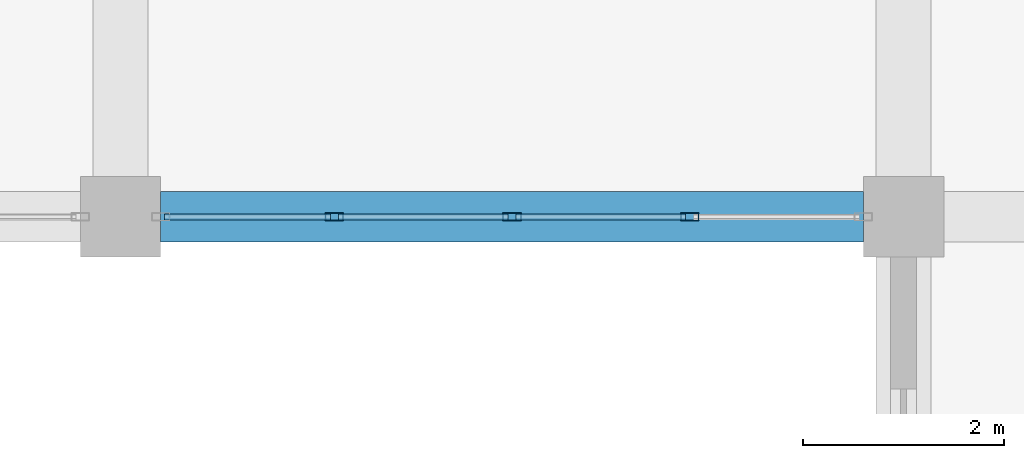
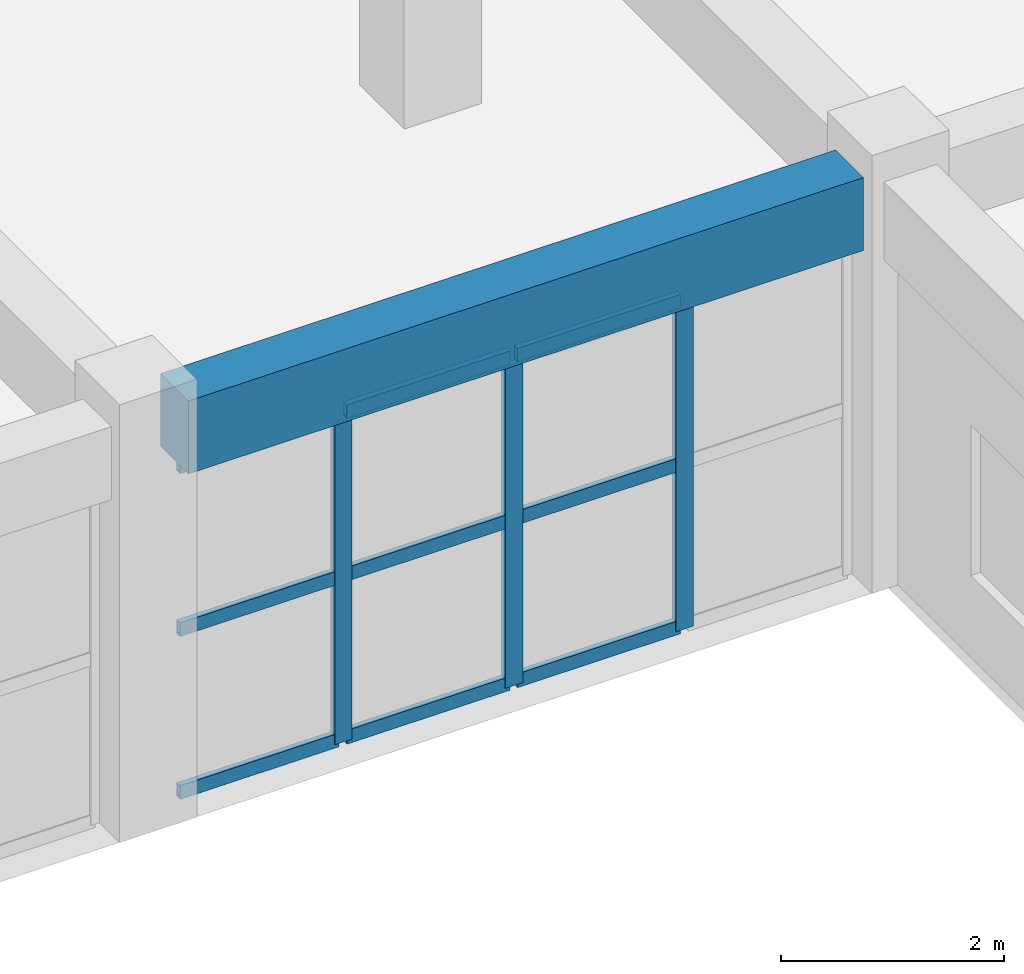
# One storey, part 44 of 139: 12 members, 1 beam, 1 element without a shape of its own.
"""IFC4 building model written with IfcOpenShell, lengths in metres."""

from ifc_helpers import new_model, si_unit, direction, frame, origin, origin_2d, place, context, subcontext, project, spatial, rectangle, hollow_rectangle, extrude, material, layer, layer_set, material_profile, profile_set, type_object, element, aggregate, save


model = new_model("IFC4")

# Units and contexts
model_context = context("Model", 3, precision=1e-05, world=origin(), true_north=direction((0.0, 1.0)))
body_context = subcontext(model_context, "Body", "Model", "MODEL_VIEW")
ifc_project = project(units=[si_unit("LENGTHUNIT", "METRE"), si_unit("AREAUNIT", "SQUARE_METRE"), si_unit("VOLUMEUNIT", "CUBIC_METRE"), si_unit("PLANEANGLEUNIT", "RADIAN"), si_unit("MASSUNIT", "GRAM", prefix="KILO")], contexts=[model_context])

# Site, building, storey
site_placement = place(None, origin())
site = spatial("IfcSite", under=ifc_project, at=site_placement, CompositionType="ELEMENT")
building_placement = place(site_placement, origin())
building = spatial("IfcBuilding", under=site, at=building_placement, Name="Zizhar Promenade General Hospital", CompositionType="ELEMENT")
storey_placement = place(building_placement, origin())
storey = spatial("IfcBuildingStorey", under=building, at=storey_placement, Name="L00", CompositionType="ELEMENT", Elevation=0.0)

# Beam
ifc_material_1 = material(Name="Concrete C35/45", Category="concrete")
ifc_material_profile_1 = material_profile(ifc_material_1, rectangle(XDim=0.5, YDim=0.800048828125, at=origin_2d()))
ifc_profile_set_1 = profile_set([ifc_material_profile_1], Name="Concrete C35/45")
beam_type = type_object("IfcBeamType", Name="BM-RC-500x800", PredefinedType="BEAM", material=ifc_profile_set_1)
beam_placement = place(storey_placement, frame((117.39990234375, 92.39990234375, 4.070068359375), z_axis=(1.0, 0.0, 0.0), x_axis=(0.0, 1.0, 0.0)))
element("IfcBeam", 1, at=beam_placement, inside=storey, type_object=beam_type, Name="Grid Beam X L00 (15-11)", PredefinedType="BEAM", context=body_context, shape_type="SweptSolid", body=[
    extrude(rectangle(XDim=0.5, YDim=0.800048828125, at=origin_2d()), origin(), (0.0, 0.0, 1.0), 7.0),
])

# Curtain wall, members
ifc_material_2 = material(Name="Anodised aluminium 6063-T6 and low-E glass", Category="aluminium")
ifc_layer = layer(ifc_material_2, 0.159912109375)
ifc_layer_set = layer_set([ifc_layer], Name="Anodised aluminium 6063-T6 and low-E glass")
curtain_wall_type = type_object("IfcCurtainWallType", Name="CW-DT-MOD1", PredefinedType="NOTDEFINED", material=ifc_layer_set)
curtain_wall_placement = place(storey_placement, origin())
curtain_wall = element("IfcCurtainWall", 2, at=curtain_wall_placement, inside=storey, type_object=curtain_wall_type, Name="Garden Court North Surgical Glazing L00-15", PredefinedType="NOTDEFINED")
ifc_material_3 = material(Name="Anodised aluminium 6063-T6", Category="aluminium")
ifc_material_profile_2 = material_profile(ifc_material_3, hollow_rectangle(XDim=0.080078125, YDim=0.179931640625, WallThickness=0.0048828125, at=origin_2d()))
ifc_profile_set_2 = profile_set([ifc_material_profile_2], Name="Anodised aluminium 6063-T6")
member_type_1 = type_object("IfcMemberType", Name="CWM-ALU-180x80", PredefinedType="MULLION", material=ifc_profile_set_2)
member_1_placement = place(storey_placement, frame((122.669921875, 92.39990234375, 0.0), z_axis=(0.0, 0.0, 1.0), x_axis=(0.0, -1.0, 0.0)))
member_1 = element("IfcMember", 3, at=member_1_placement, type_object=member_type_1, Name="CW-07 mullion 2", PredefinedType="MULLION", context=body_context, shape_type="SweptSolid", body=[
    extrude(hollow_rectangle(XDim=0.080078125, YDim=0.179931640625, WallThickness=0.0048828125, at=origin_2d()), origin(), (0.0, 0.0, 1.0), 3.6298828125),
])
member_2_placement = place(storey_placement, frame((120.89990234375, 92.39990234375, 0.0), z_axis=(0.0, 0.0, 1.0), x_axis=(0.0, -1.0, 0.0)))
member_2 = element("IfcMember", 4, at=member_2_placement, type_object=member_type_1, Name="CW-07 mullion 3", PredefinedType="MULLION", context=body_context, shape_type="SweptSolid", body=[
    extrude(hollow_rectangle(XDim=0.080078125, YDim=0.179931640625, WallThickness=0.0048828125, at=origin_2d()), origin(), (0.0, 0.0, 1.0), 3.6298828125),
])
member_3_placement = place(storey_placement, frame((119.1298828125, 92.39990234375, 0.0), z_axis=(0.0, 0.0, 1.0), x_axis=(0.0, -1.0, 0.0)))
member_3 = element("IfcMember", 5, at=member_3_placement, type_object=member_type_1, Name="CW-07 mullion 4", PredefinedType="MULLION", context=body_context, shape_type="SweptSolid", body=[
    extrude(hollow_rectangle(XDim=0.080078125, YDim=0.179931640625, WallThickness=0.0048828125, at=origin_2d()), origin(), (0.0, 0.0, 1.0), 3.6298828125),
])
ifc_material_4 = material(Name="Anodised aluminium 6063-T6", Category="aluminium")
ifc_material_profile_3 = material_profile(ifc_material_4, hollow_rectangle(XDim=0.06005859375, YDim=0.14990234375, WallThickness=0.00390625, at=origin_2d()))
ifc_profile_set_3 = profile_set([ifc_material_profile_3], Name="Anodised aluminium 6063-T6")
member_type_2 = type_object("IfcMemberType", Name="CWT-ALU-150x60", PredefinedType="USERDEFINED", material=ifc_profile_set_3)
member_4_placement = place(storey_placement, frame((122.6298828125, 92.39990234375, 0.030029296875), z_axis=(-1.0, 0.0, 0.0), x_axis=(0.0, -1.0, 0.0)))
member_4 = element("IfcMember", 6, at=member_4_placement, type_object=member_type_2, Name="CW-07 transom 2.1", ObjectType="TRANSOM", PredefinedType="USERDEFINED", context=body_context, shape_type="SweptSolid", body=[
    extrude(hollow_rectangle(XDim=0.06005859375, YDim=0.14990234375, WallThickness=0.00390625, at=origin_2d()), origin(), (0.0, 0.0, 1.0), 1.68994140625),
])
member_5_placement = place(storey_placement, frame((122.6298828125, 92.39990234375, 1.81494140625), z_axis=(-1.0, 0.0, 0.0), x_axis=(0.0, -1.0, 0.0)))
member_5 = element("IfcMember", 7, at=member_5_placement, type_object=member_type_2, Name="CW-07 transom 2.2", ObjectType="TRANSOM", PredefinedType="USERDEFINED", context=body_context, shape_type="SweptSolid", body=[
    extrude(hollow_rectangle(XDim=0.06005859375, YDim=0.14990234375, WallThickness=0.00390625, at=origin_2d()), origin(), (0.0, 0.0, 1.0), 1.68994140625),
])
member_6_placement = place(storey_placement, frame((122.6298828125, 92.39990234375, 3.60009765625), z_axis=(-1.0, 0.0, 0.0), x_axis=(0.0, -1.0, 0.0)))
member_6 = element("IfcMember", 8, at=member_6_placement, type_object=member_type_2, Name="CW-07 transom 2.3", ObjectType="TRANSOM", PredefinedType="USERDEFINED", context=body_context, shape_type="SweptSolid", body=[
    extrude(hollow_rectangle(XDim=0.06005859375, YDim=0.14990234375, WallThickness=0.00390625, at=origin_2d()), origin(), (0.0, 0.0, 1.0), 1.68994140625),
])
member_7_placement = place(storey_placement, frame((120.860107421875, 92.39990234375, 0.030029296875), z_axis=(-1.0, 0.0, 0.0), x_axis=(0.0, -1.0, 0.0)))
member_7 = element("IfcMember", 9, at=member_7_placement, type_object=member_type_2, Name="CW-07 transom 3.1", ObjectType="TRANSOM", PredefinedType="USERDEFINED", context=body_context, shape_type="SweptSolid", body=[
    extrude(hollow_rectangle(XDim=0.06005859375, YDim=0.14990234375, WallThickness=0.00390625, at=origin_2d()), origin(), (0.0, 0.0, 1.0), 1.690185546875),
])
member_8_placement = place(storey_placement, frame((120.860107421875, 92.39990234375, 1.81494140625), z_axis=(-1.0, 0.0, 0.0), x_axis=(0.0, -1.0, 0.0)))
member_8 = element("IfcMember", 10, at=member_8_placement, type_object=member_type_2, Name="CW-07 transom 3.2", ObjectType="TRANSOM", PredefinedType="USERDEFINED", context=body_context, shape_type="SweptSolid", body=[
    extrude(hollow_rectangle(XDim=0.06005859375, YDim=0.14990234375, WallThickness=0.00390625, at=origin_2d()), origin(), (0.0, 0.0, 1.0), 1.690185546875),
])
member_9_placement = place(storey_placement, frame((120.860107421875, 92.39990234375, 3.60009765625), z_axis=(-1.0, 0.0, 0.0), x_axis=(0.0, -1.0, 0.0)))
member_9 = element("IfcMember", 11, at=member_9_placement, type_object=member_type_2, Name="CW-07 transom 3.3", ObjectType="TRANSOM", PredefinedType="USERDEFINED", context=body_context, shape_type="SweptSolid", body=[
    extrude(hollow_rectangle(XDim=0.06005859375, YDim=0.14990234375, WallThickness=0.00390625, at=origin_2d()), origin(), (0.0, 0.0, 1.0), 1.690185546875),
])
member_10_placement = place(storey_placement, frame((119.090087890625, 92.39990234375, 0.030029296875), z_axis=(-1.0, 0.0, 0.0), x_axis=(0.0, -1.0, 0.0)))
member_10 = element("IfcMember", 12, at=member_10_placement, type_object=member_type_2, Name="CW-07 transom 4.1", ObjectType="TRANSOM", PredefinedType="USERDEFINED", context=body_context, shape_type="SweptSolid", body=[
    extrude(hollow_rectangle(XDim=0.06005859375, YDim=0.14990234375, WallThickness=0.00390625, at=origin_2d()), origin(), (0.0, 0.0, 1.0), 1.650146484375),
])
member_11_placement = place(storey_placement, frame((119.090087890625, 92.39990234375, 1.81494140625), z_axis=(-1.0, 0.0, 0.0), x_axis=(0.0, -1.0, 0.0)))
member_11 = element("IfcMember", 13, at=member_11_placement, type_object=member_type_2, Name="CW-07 transom 4.2", ObjectType="TRANSOM", PredefinedType="USERDEFINED", context=body_context, shape_type="SweptSolid", body=[
    extrude(hollow_rectangle(XDim=0.06005859375, YDim=0.14990234375, WallThickness=0.00390625, at=origin_2d()), origin(), (0.0, 0.0, 1.0), 1.650146484375),
])
member_12_placement = place(storey_placement, frame((119.090087890625, 92.39990234375, 3.60009765625), z_axis=(-1.0, 0.0, 0.0), x_axis=(0.0, -1.0, 0.0)))
member_12 = element("IfcMember", 14, at=member_12_placement, type_object=member_type_2, Name="CW-07 transom 4.3", ObjectType="TRANSOM", PredefinedType="USERDEFINED", context=body_context, shape_type="SweptSolid", body=[
    extrude(hollow_rectangle(XDim=0.06005859375, YDim=0.14990234375, WallThickness=0.00390625, at=origin_2d()), origin(), (0.0, 0.0, 1.0), 1.650146484375),
])
aggregate(curtain_wall, [member_1, member_2, member_3, member_4, member_5, member_6, member_7, member_8, member_9, member_10, member_11, member_12])

save(model, "model.ifc")
